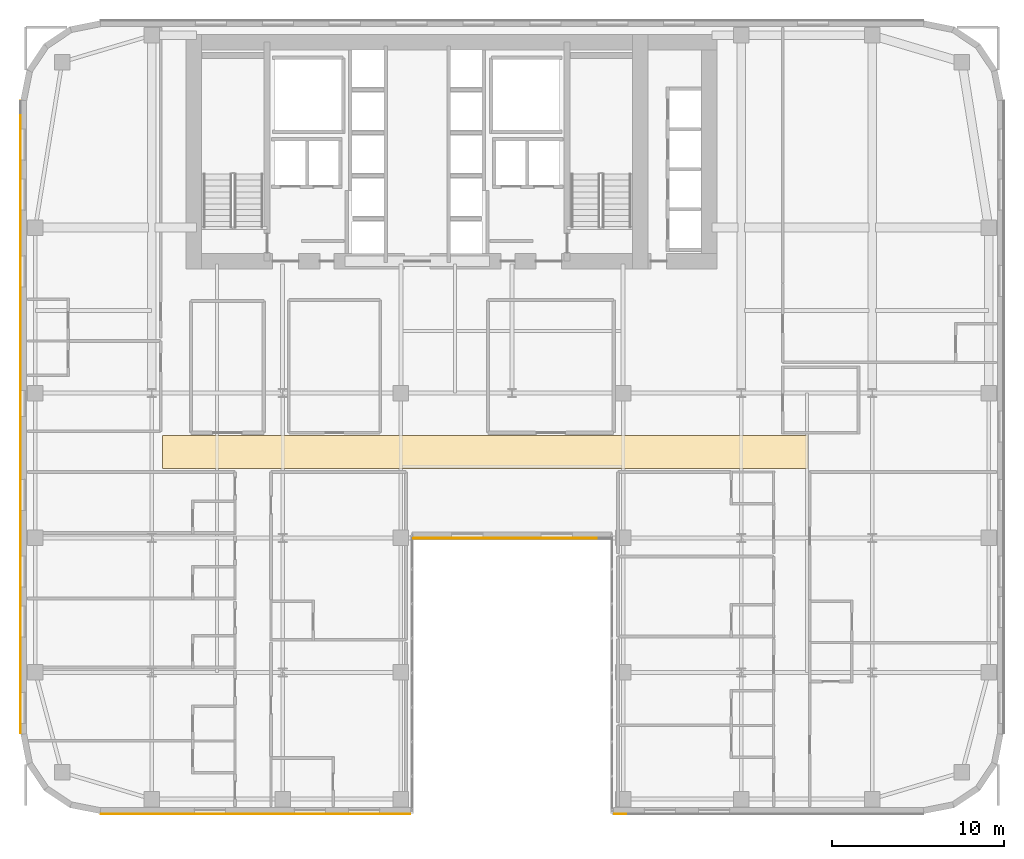
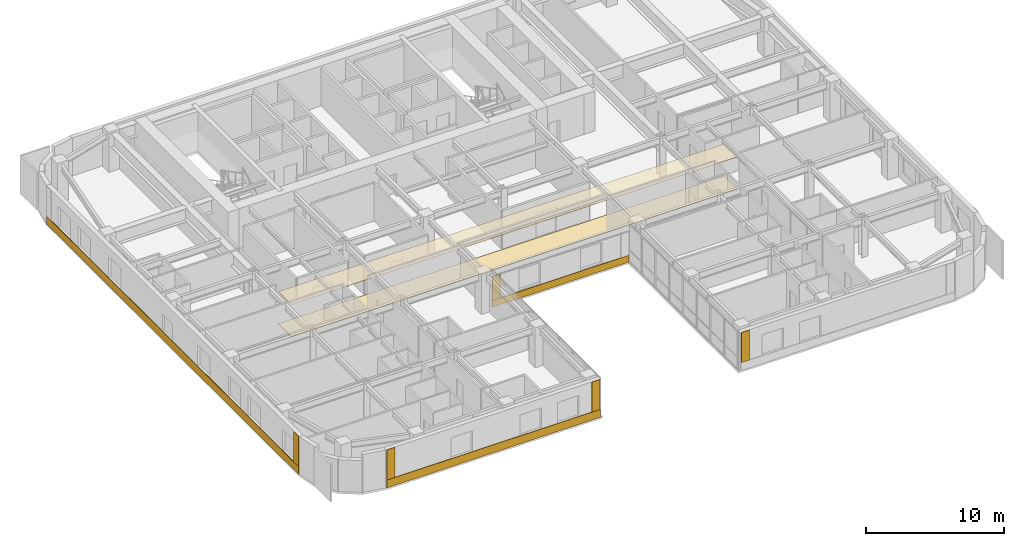
# One storey, part 20 of 24: 10 coverings.
"""IFC4 building model written with IfcOpenShell, lengths in metres."""

import ifcopenshell
import ifcopenshell.guid

model = None  # the IFC model being written
_history = None  # IfcOwnerHistory: only IFC2X3 demands one
_inside = {}  # id of a spatial element -> (the spatial element, [elements in it])
_under = {}  # id of a project, library or spatial element -> (it, [spatial elements below it])
_declared = {}  # id of a project -> (the project, [libraries it declares])
_typed = {}  # id of a type object -> (the type object, [elements of that type])
_made_of = {}  # id of a material, layer set ... -> (it, [elements and type objects made of it])


def new_model(schema):
    """Start an empty IFC model of exactly this schema.

    Asked for "IFC4X3", IfcOpenShell would pick the latest addendum, in which some entities
    have other attributes; the version numbers below select the first issue.
    IFC2X3 requires an IfcOwnerHistory on every rooted entity: one is made here for all.
    """
    global model, _history
    if schema == "IFC4X3":
        model = ifcopenshell.file(schema_version=(4, 3, 0, 0))
    else:
        model = ifcopenshell.file(schema=schema)
    _inside.clear()
    _under.clear()
    _declared.clear()
    _typed.clear()
    _made_of.clear()
    _history = None
    if model.schema == "IFC2X3":
        org = make("IfcOrganization", Name="unknown")
        user = make(
            "IfcPersonAndOrganization",
            ThePerson=make("IfcPerson", FamilyName="unknown"),
            TheOrganization=org,
        )
        app = make(
            "IfcApplication",
            ApplicationDeveloper=org,
            Version="unknown",
            ApplicationFullName="unknown",
            ApplicationIdentifier="unknown",
        )
        _history = make(
            "IfcOwnerHistory",
            OwningUser=user,
            OwningApplication=app,
            ChangeAction="ADDED",
            CreationDate=0,
        )
    return model


def make(cls, **values):
    """One entity of the class cls with the attributes given. An attribute that is None is left unset."""
    return model.create_entity(
        cls, **{name: value for name, value in values.items() if value is not None}
    )


def rooted(cls, **values):
    """An entity with a GlobalId (a new one), such as an element, a storey or a relation."""
    return make(cls, GlobalId=ifcopenshell.guid.new(), OwnerHistory=_history, **values)


def si_unit(unit_type, name, prefix=None):
    """IfcSIUnit, for example si_unit("LENGTHUNIT", "METRE", prefix="MILLI")."""
    return make("IfcSIUnit", UnitType=unit_type, Prefix=prefix, Name=name)


def assignment(units):
    """IfcUnitAssignment: the units of a project."""
    return None if units is None else make("IfcUnitAssignment", Units=units)


def point(xyz):
    """IfcCartesianPoint."""
    return None if xyz is None else make("IfcCartesianPoint", Coordinates=xyz)


def direction(xyz):
    """IfcDirection."""
    return None if xyz is None else make("IfcDirection", DirectionRatios=xyz)


def frame(location, z_axis=None, x_axis=None):
    """IfcAxis2Placement3D, a coordinate frame: its origin and axes. An axis left out is left unset."""
    return make(
        "IfcAxis2Placement3D",
        Location=point(location),
        Axis=direction(z_axis),
        RefDirection=direction(x_axis),
    )


def origin():
    """The frame at (0, 0, 0) with its axes left unset."""
    return frame((0.0, 0.0, 0.0))


def place(relative_to, where):
    """IfcLocalPlacement: puts the frame where relative to a parent placement (None: the world)."""
    return make(
        "IfcLocalPlacement", PlacementRelTo=relative_to, RelativePlacement=where
    )


def context(
    kind, dimensions, precision=None, world=None, true_north=None, identifier=None
):
    """IfcGeometricRepresentationContext, for example the 3D "Model" context."""
    return make(
        "IfcGeometricRepresentationContext",
        ContextIdentifier=identifier,
        ContextType=kind,
        CoordinateSpaceDimension=dimensions,
        Precision=precision,
        WorldCoordinateSystem=world,
        TrueNorth=true_north,
    )


def subcontext(parent, identifier, kind, view, scale=None):
    """IfcGeometricRepresentationSubContext, for example "Body" below "Model"."""
    return make(
        "IfcGeometricRepresentationSubContext",
        ContextIdentifier=identifier,
        ContextType=kind,
        ParentContext=parent,
        TargetScale=scale,
        TargetView=view,
    )


def project(units=None, contexts=None):
    """IfcProject with its units and contexts."""
    return rooted(
        "IfcProject",
        Name="project",
        RepresentationContexts=contexts,
        UnitsInContext=assignment(units),
    )


def spatial(cls, under=None, at=None, **own):
    """A site, building, storey or space (cls), placed at a placement, below another one or the project."""
    s = rooted(cls, ObjectPlacement=at, **own)
    if under is not None:
        _under.setdefault(under.id(), (under, []))[1].append(s)
    return s


def polyline(points):
    """IfcPolyline through the points."""
    return make("IfcPolyline", Points=[point(p) for p in points])


def outline(outer, holes=None, kind="AREA"):
    """IfcArbitraryClosedProfileDef: a profile drawn as a closed curve; with holes, ...WithVoids."""
    if holes is None:
        return make("IfcArbitraryClosedProfileDef", ProfileType=kind, OuterCurve=outer)
    return make(
        "IfcArbitraryProfileDefWithVoids",
        ProfileType=kind,
        OuterCurve=outer,
        InnerCurves=holes,
    )


def extrude(swept, where, along, depth):
    """IfcExtrudedAreaSolid: the profile swept, set in the frame where, extruded along a direction by depth."""
    return make(
        "IfcExtrudedAreaSolid",
        SweptArea=swept,
        Position=where,
        ExtrudedDirection=direction(along),
        Depth=depth,
    )


def shape(context_of_items, identifier, shape_type, items):
    """IfcShapeRepresentation: the items that make up one representation, for example the "Body"."""
    return make(
        "IfcShapeRepresentation",
        ContextOfItems=context_of_items,
        RepresentationIdentifier=identifier,
        RepresentationType=shape_type,
        Items=items,
    )


def material(Name=None, Category=None):
    """IfcMaterial."""
    return make("IfcMaterial", Name=Name, Category=Category)


def layer(
    of_material, thickness, ventilated=None, Name=None, Category=None, Priority=None
):
    """IfcMaterialLayer: one layer of a wall or slab, of a material (None: an air gap)."""
    return make(
        "IfcMaterialLayer",
        Material=of_material,
        LayerThickness=thickness,
        IsVentilated=ventilated,
        Name=Name,
        Category=Category,
        Priority=Priority,
    )


def layer_set(layers, Name=None):
    """IfcMaterialLayerSet."""
    return make("IfcMaterialLayerSet", MaterialLayers=layers, LayerSetName=Name)


def made_of(thing, what):
    """Note that an element or type object is made of a material, layer set ...; save() writes the relation."""
    if what is not None:
        _made_of.setdefault(what.id(), (what, []))[1].append(thing)
    return thing


def type_object(cls, material=None, **own):
    """A type object (cls), such as IfcWallType, which elements share."""
    return made_of(rooted(cls, **own), material)


def element(
    cls,
    number,
    at=None,
    inside=None,
    cuts=None,
    type_object=None,
    material=None,
    context=None,
    identifier="Body",
    shape_type=None,
    held_by="IfcProductDefinitionShape",
    body=None,
    shapes=None,
    **own,
):
    """One element of the class cls, such as IfcWall. Its Tag is "e" and its number.

    at: its placement. inside: the storey or other place that contains it. cuts: it is an
    opening in that element (IfcRelVoidsElement). A single representation is given by context,
    identifier, shape_type and body (its items); several are given by shapes. held_by: the class
    of the entity that holds the representations. save() writes the other relations.
    """
    e = rooted(cls, Tag="e%d" % number, ObjectPlacement=at, **own)
    if body is not None:
        shapes = [shape(context, identifier, shape_type, body)]
    if shapes is not None:
        e.Representation = make(held_by, Representations=shapes)
    if inside is not None:
        _inside.setdefault(inside.id(), (inside, []))[1].append(e)
    if cuts is not None:
        rooted(
            "IfcRelVoidsElement", RelatingBuildingElement=cuts, RelatedOpeningElement=e
        )
    if type_object is not None:
        _typed.setdefault(type_object.id(), (type_object, []))[1].append(e)
    return made_of(e, material)


def aggregate(whole, parts):
    """IfcRelAggregates: a whole, such as a stair, and the parts it consists of."""
    return rooted("IfcRelAggregates", RelatingObject=whole, RelatedObjects=parts)


def save(model, path):
    """Write the relations noted so far, then the file.

    IfcRelAggregates (storeys below a building ...), IfcRelContainedInSpatialStructure (elements
    in a storey), IfcRelDefinesByType, IfcRelAssociatesMaterial and IfcRelDeclares: one each for
    every whole, place, type object, material and project.
    """
    for whole, parts in _under.values():
        aggregate(whole, parts)
    for where, things in _inside.values():
        rooted(
            "IfcRelContainedInSpatialStructure",
            RelatedElements=things,
            RelatingStructure=where,
        )
    for kind, things in _typed.values():
        rooted("IfcRelDefinesByType", RelatedObjects=things, RelatingType=kind)
    for what, things in _made_of.values():
        rooted("IfcRelAssociatesMaterial", RelatedObjects=things, RelatingMaterial=what)
    for by, libraries in _declared.values():
        rooted("IfcRelDeclares", RelatingContext=by, RelatedDefinitions=libraries)
    model.write(path)


model = new_model("IFC4")

# Units and contexts
model_context = context("Model", 3, precision=1e-05, world=origin(), true_north=direction((0.0, 1.0)))
body_context = subcontext(model_context, "Body", "Model", "MODEL_VIEW")
ifc_project = project(units=[si_unit("LENGTHUNIT", "METRE"), si_unit("AREAUNIT", "SQUARE_METRE"), si_unit("VOLUMEUNIT", "CUBIC_METRE"), si_unit("PLANEANGLEUNIT", "RADIAN"), si_unit("MASSUNIT", "GRAM", prefix="KILO")], contexts=[model_context])

# Site, building, storey
site_placement = place(None, origin())
site = spatial("IfcSite", under=ifc_project, at=site_placement, CompositionType="ELEMENT")
building_placement = place(site_placement, origin())
building = spatial("IfcBuilding", under=site, at=building_placement, Name="Tolvann Quenvar Hotel", CompositionType="ELEMENT")
storey_placement = place(building_placement, frame((0.0, 0.0, 81.699951171875)))
storey = spatial("IfcBuildingStorey", under=building, at=storey_placement, Name="L20", CompositionType="ELEMENT", Elevation=81.699951171875)

# Coverings
ifc_material_1 = material(Name="Micro-perforated acoustic mineral-fibre and timber-batten suspended ceiling", Category="wood")
ifc_layer_1 = layer(ifc_material_1, 0.0400390625)
ifc_layer_set_1 = layer_set([ifc_layer_1], Name="Micro-perforated acoustic mineral-fibre and timber-batten suspended ceiling")
covering_type_1 = type_object("IfcCoveringType", Name="COV_CEIL_ACOUSTIC_40", PredefinedType="CEILING", material=ifc_layer_set_1)
covering_1_placement = place(storey_placement, frame((0.0, 0.0, 2.830078125)))
element("IfcCovering", 1, at=covering_1_placement, inside=storey, type_object=covering_type_1, Name="Suspended Acoustic Ceiling (Hotel Guest Corridor L20)", PredefinedType="CEILING", context=body_context, shape_type="SweptSolid", body=[
    extrude(outline(polyline([(8.219970703125, 20.02001953125), (45.679931640625, 20.02001953125), (45.679931640625, 21.929931640625), (8.219970703125, 21.929931640625), (8.219970703125, 20.02001953125)])), origin(), (0.0, 0.0, 1.0), 0.0400390625),
])
ifc_material_2 = material(Name="Kiln-fired red architectural face brick cladding", Category="masonry")
ifc_layer_2 = layer(ifc_material_2, 0.0400390625)
ifc_layer_set_2 = layer_set([ifc_layer_2], Name="Kiln-fired red architectural face brick cladding")
covering_type_2 = type_object("IfcCoveringType", Name="COV_CLAD_BRICK_40", PredefinedType="CLADDING", material=ifc_layer_set_2)
covering_2_placement = place(storey_placement, frame((0.0, 0.0, 0.699951171875)))
element("IfcCovering", 2, at=covering_2_placement, inside=storey, type_object=covering_type_2, Name="Brick Pier Cladding (L20-E04-P1)", PredefinedType="CLADDING", context=body_context, shape_type="SweptSolid", body=[
    extrude(outline(polyline([(4.667236328125, 0.0), (5.3671875, 0.0), (5.3671875, -0.0400390625), (4.667236328125, -0.0400390625), (4.667236328125, 0.0)])), origin(), (0.0, 0.0, 1.0), 2.670166015625),
])
covering_3_placement = place(storey_placement, frame((0.0, 0.0, 0.699951171875)))
element("IfcCovering", 3, at=covering_3_placement, inside=storey, type_object=covering_type_2, Name="Brick Pier Cladding (L20-E04-P2)", PredefinedType="CLADDING", context=body_context, shape_type="SweptSolid", body=[
    extrude(outline(polyline([(21.875, 0.0), (22.574951171875, 0.0), (22.574951171875, -0.0400390625), (21.875, -0.0400390625), (21.875, 0.0)])), origin(), (0.0, 0.0, 1.0), 2.670166015625),
])
covering_4_placement = place(storey_placement, frame((0.0, 0.0, 0.604736328125)))
element("IfcCovering", 4, at=covering_4_placement, inside=storey, type_object=covering_type_2, Name="Brick Pier Cladding (L20-E06-P1)", PredefinedType="CLADDING", context=body_context, shape_type="SweptSolid", body=[
    extrude(outline(polyline([(22.760009765625, 16.0), (23.4599609375, 16.0), (23.4599609375, 15.9599609375), (22.760009765625, 15.9599609375), (22.760009765625, 16.0)])), origin(), (0.0, 0.0, 1.0), 2.143310546875),
])
covering_5_placement = place(storey_placement, frame((0.0, 0.0, 0.699951171875)))
element("IfcCovering", 5, at=covering_5_placement, inside=storey, type_object=covering_type_2, Name="Brick Pier Cladding (L20-E08-P1)", PredefinedType="CLADDING", context=body_context, shape_type="SweptSolid", body=[
    extrude(outline(polyline([(34.425048828125, 0.0), (35.125, 0.0), (35.125, -0.0400390625), (34.425048828125, -0.0400390625), (34.425048828125, 0.0)])), origin(), (0.0, 0.0, 1.0), 2.670166015625),
])
covering_6_placement = place(storey_placement, frame((0.0, 0.0, 0.699951171875)))
element("IfcCovering", 6, at=covering_6_placement, inside=storey, type_object=covering_type_2, Name="Brick Pier Cladding (L20-E23-P2)", PredefinedType="CLADDING", context=body_context, shape_type="SweptSolid", body=[
    extrude(outline(polyline([(0.0, 5.3671875), (0.0, 4.667236328125), (-0.0400390625, 4.667236328125), (-0.0400390625, 5.3671875), (0.0, 5.3671875)])), origin(), (0.0, 0.0, 1.0), 2.670166015625),
])
ifc_material_3 = material(Name="Moulded buff architectural terracotta spandrel cladding", Category="masonry")
ifc_layer_3 = layer(ifc_material_3, 0.0400390625)
ifc_layer_set_3 = layer_set([ifc_layer_3], Name="Moulded buff architectural terracotta spandrel cladding")
covering_type_3 = type_object("IfcCoveringType", Name="COV_CLAD_TERRA_40", PredefinedType="CLADDING", material=ifc_layer_set_3)
covering_7_placement = place(storey_placement, origin())
element("IfcCovering", 7, at=covering_7_placement, inside=storey, type_object=covering_type_3, Name="Terracotta Spandrel Cladding (L20-E04)", PredefinedType="CLADDING", context=body_context, shape_type="SweptSolid", body=[
    extrude(outline(polyline([(4.6572265625, 0.0), (22.5849609375, 0.0), (22.5849609375, -0.0400390625), (4.6572265625, -0.0400390625), (4.6572265625, 0.0)])), origin(), (0.0, 0.0, 1.0), 0.699951171875),
])
covering_8_placement = place(storey_placement, origin())
element("IfcCovering", 8, at=covering_8_placement, inside=storey, type_object=covering_type_3, Name="Terracotta Spandrel Cladding (L20-E06)", PredefinedType="CLADDING", context=body_context, shape_type="SweptSolid", body=[
    extrude(outline(polyline([(22.75, 16.0), (34.25, 16.0), (34.25, 15.9599609375), (22.75, 15.9599609375), (22.75, 16.0)])), origin(), (0.0, 0.0, 1.0), 0.604736328125),
])
covering_9_placement = place(storey_placement, origin())
element("IfcCovering", 9, at=covering_9_placement, inside=storey, type_object=covering_type_3, Name="Terracotta Spandrel Cladding (L20-E23)", PredefinedType="CLADDING", context=body_context, shape_type="SweptSolid", body=[
    extrude(outline(polyline([(0.0, 41.3427734375), (0.0, 4.6572265625), (-0.0400390625, 4.6572265625), (-0.0400390625, 41.3427734375), (0.0, 41.3427734375)])), origin(), (0.0, 0.0, 1.0), 0.699951171875),
])
ifc_material_4 = material(Name="Honed Australian bluestone, terrazzo and engineered oak flooring", Category="masonry")
ifc_layer_4 = layer(ifc_material_4, 0.02001953125)
ifc_layer_set_4 = layer_set([ifc_layer_4], Name="Honed Australian bluestone, terrazzo and engineered oak flooring")
covering_type_4 = type_object("IfcCoveringType", Name="COV_FLOOR_STONE_20", PredefinedType="FLOORING", material=ifc_layer_set_4)
covering_10_placement = place(storey_placement, origin())
element("IfcCovering", 10, at=covering_10_placement, inside=storey, type_object=covering_type_4, Name="Architectural Floor Finish (Hotel Guest Corridor L20)", PredefinedType="FLOORING", context=body_context, shape_type="SweptSolid", body=[
    extrude(outline(polyline([(8.219970703125, 20.02001953125), (45.679931640625, 20.02001953125), (45.679931640625, 21.929931640625), (8.219970703125, 21.929931640625), (8.219970703125, 20.02001953125)])), origin(), (0.0, 0.0, 1.0), 0.02001953125),
])

save(model, "model.ifc")
